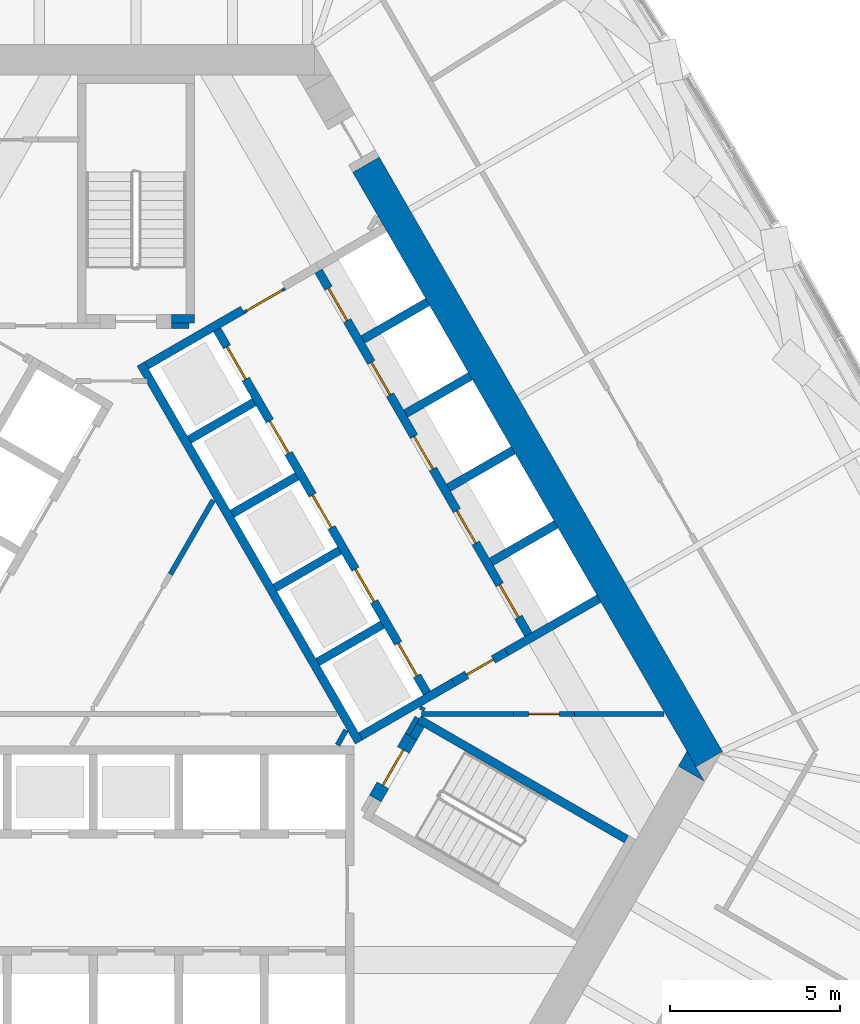
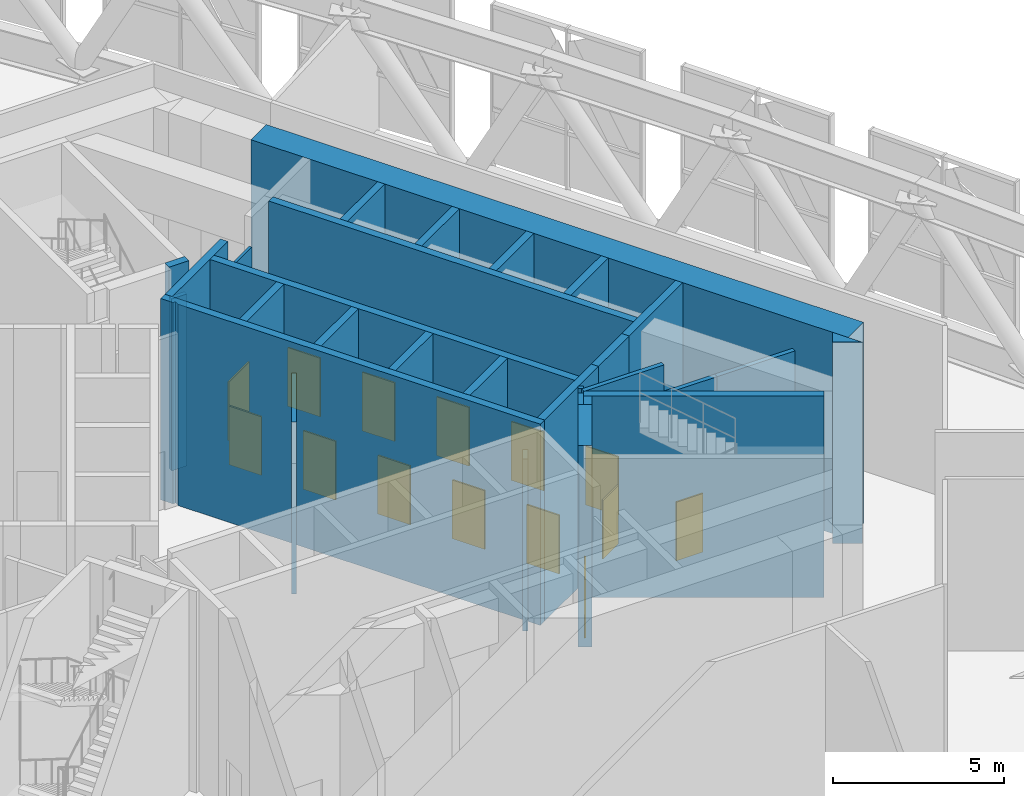
# One storey, part 24 of 33: 30 walls, 14 doors, 14 openings.
"""IFC4 building model written with IfcOpenShell, lengths in metres."""

from ifc_helpers import new_model, si_unit, direction, frame, frame_2d, origin, place, context, subcontext, project, spatial, polyline, rectangle, outline, extrude, material, layer, layer_set, type_object, element, fill, save


model = new_model("IFC4")

# Units and contexts
model_context = context("Model", 3, precision=1e-05, world=origin(), true_north=direction((0.0, 1.0)))
body_context = subcontext(model_context, "Body", "Model", "MODEL_VIEW")
ifc_project = project(units=[si_unit("LENGTHUNIT", "METRE"), si_unit("AREAUNIT", "SQUARE_METRE"), si_unit("VOLUMEUNIT", "CUBIC_METRE"), si_unit("PLANEANGLEUNIT", "RADIAN"), si_unit("MASSUNIT", "GRAM", prefix="KILO")], contexts=[model_context])

# Site, building, storey
site_placement = place(None, origin())
site = spatial("IfcSite", under=ifc_project, at=site_placement, CompositionType="ELEMENT")
building_placement = place(site_placement, origin())
building = spatial("IfcBuilding", under=site, at=building_placement, Name="Mestral Congress Tower", CompositionType="ELEMENT")
storey_placement = place(building_placement, frame((0.0, 0.0, 134.39990234375)))
storey = spatial("IfcBuildingStorey", under=building, at=storey_placement, Name="L32", CompositionType="ELEMENT", Elevation=134.39990234375)

# Walls
ifc_material_1 = material(Name="Fire-rated board partition")
ifc_layer_1 = layer(ifc_material_1, 0.14990234375)
ifc_layer_set_1 = layer_set([ifc_layer_1], Name="Fire-rated board partition")
wall_type_1 = type_object("IfcWallType", Name="Core partition 150", PredefinedType="PARTITIONING", material=ifc_layer_set_1)
wall_1_placement = place(storey_placement, frame((5.935791015625, -3.718017578125, 0.0), z_axis=(0.0, 0.0, 1.0), x_axis=(0.499890179513, 0.866088799389, 0.0)))
element("IfcWall", 1, at=wall_1_placement, inside=storey, type_object=wall_type_1, Name="L32 core wall", PredefinedType="PARTITIONING", context=body_context, shape_type="SweptSolid", body=[
    extrude(rectangle(XDim=0.50390625, YDim=0.14990234375, at=frame_2d((0.251953125, 0.0))), origin(), (0.0, 0.0, 1.0), 6.150146484375),
])
wall_2_placement = place(storey_placement, frame((12.914794921875, -2.800048828125, 0.0), z_axis=(0.0, 0.0, 1.0), x_axis=(1.0, 0.0, 0.0)))
element("IfcWall", 2, at=wall_2_placement, inside=storey, type_object=wall_type_1, Name="L32 core wall", PredefinedType="PARTITIONING", context=body_context, shape_type="SweptSolid", body=[
    extrude(rectangle(XDim=2.636962890625, YDim=0.14990234375, at=frame_2d((1.318359375, 0.0))), origin(), (0.0, 0.0, 1.0), 6.150146484375),
])
wall_3_placement = place(storey_placement, frame((1.01611328125, 1.30908203125, 0.0), z_axis=(0.0, 0.0, 1.0), x_axis=(0.49998231768, 0.866035612436, 0.0)))
element("IfcWall", 3, at=wall_3_placement, inside=storey, type_object=wall_type_1, Name="L32 core wall", PredefinedType="PARTITIONING", context=body_context, shape_type="SweptSolid", body=[
    extrude(rectangle(XDim=2.52099609375, YDim=0.14990234375, at=frame_2d((1.260498046875, 0.0))), origin(), (0.0, 0.0, 1.0), 6.150146484375),
])
wall_4_placement = place(storey_placement, frame((1.050048828125, 8.62548828125, 0.0), z_axis=(0.0, 0.0, 1.0), x_axis=(1.0, 0.0, 0.0)))
element("IfcWall", 4, at=wall_4_placement, inside=storey, type_object=wall_type_1, Name="L32 core wall", PredefinedType="PARTITIONING", context=body_context, shape_type="SweptSolid", body=[
    extrude(rectangle(XDim=0.513916015625, YDim=0.14990234375, at=frame_2d((0.2568359375, 0.0))), origin(), (0.0, 0.0, 1.0), 6.150146484375),
])

# Wall, opening, door
wall_5_placement = place(storey_placement, frame((11.114501953125, -2.800048828125, 0.0), z_axis=(0.0, 0.0, 1.0), x_axis=(1.0, 0.0, 0.0)))
wall_5 = element("IfcWall", 5, at=wall_5_placement, inside=storey, type_object=wall_type_1, Name="L32 door wall", PredefinedType="PARTITIONING", context=body_context, shape_type="SweptSolid", body=[
    extrude(rectangle(XDim=1.800048828125, YDim=0.14990234375, at=frame_2d((0.89990234375, 0.0))), origin(), (0.0, 0.0, 1.0), 6.150146484375),
])
opening_1_placement = place(wall_5_placement, frame((0.449951171875, 0.0, 0.0)))
opening_1 = element("IfcOpeningElement", 6, at=opening_1_placement, cuts=wall_5, Name="Opening TD1", PredefinedType="OPENING", context=body_context, shape_type="SweptSolid", body=[
    extrude(rectangle(XDim=0.89990234375, YDim=2.10009765625, at=frame_2d((0.449951171875, 1.050048828125))), frame((0.0, 0.0849609375, 0.0), z_axis=(0.0, -1.0, 0.0), x_axis=(1.0, 0.0, 0.0)), (0.0, 0.0, 1.0), 0.169921875),
])
ifc_material_2 = material(Name="Fire-rated steel door set", Category="steel")
door_type_1 = type_object("IfcDoorType", Name="Core door SR 900x2100", OperationType="SINGLE_SWING_LEFT", PredefinedType="DOOR", material=ifc_material_2)
door_1_placement = place(opening_1_placement, origin())
door_1 = element("IfcDoor", 7, at=door_1_placement, inside=storey, type_object=door_type_1, Name="Door TD1", OperationType="SINGLE_SWING_LEFT", OverallHeight=2.10009765625, OverallWidth=0.89990234375, PredefinedType="DOOR", context=body_context, shape_type="SweptSolid", body=[
    extrude(rectangle(XDim=0.89990234375, YDim=2.10009765625, at=frame_2d((0.449951171875, 1.050048828125))), frame((0.0, 0.02490234375, 0.0), z_axis=(0.0, -1.0, 0.0), x_axis=(1.0, 0.0, 0.0)), (0.0, 0.0, 1.0), 0.050048828125),
])
fill(opening_1, door_1)

ifc_layer_2 = layer(ifc_material_1, 0.090087890625)
ifc_layer_set_2 = layer_set([ifc_layer_2], Name="Fire-rated board partition")
wall_type_2 = type_object("IfcWallType", Name="Core partition 150 door-wall 90", PredefinedType="PARTITIONING", material=ifc_layer_set_2)
wall_6_placement = place(storey_placement, frame((3.182861328125, 9.02001953125, 0.0), z_axis=(0.0, 0.0, 1.0), x_axis=(0.866034573852, 0.49998411664, 0.0)))
wall_6 = element("IfcWall", 8, at=wall_6_placement, inside=storey, type_object=wall_type_2, Name="L32 door wall", PredefinedType="PARTITIONING", context=body_context, shape_type="SweptSolid", body=[
    extrude(rectangle(XDim=1.39990234375, YDim=0.090087890625, at=frame_2d((0.699951171875, 0.0))), origin(), (0.0, 0.0, 1.0), 6.150146484375),
])
opening_2_placement = place(wall_6_placement, frame((0.10009765625, 0.0, 0.0)))
opening_2 = element("IfcOpeningElement", 9, at=opening_2_placement, cuts=wall_6, Name="Opening LB1-WL2", PredefinedType="OPENING", context=body_context, shape_type="SweptSolid", body=[
    extrude(rectangle(XDim=1.199951171875, YDim=2.10009765625, at=frame_2d((0.60009765625, 1.050048828125))), frame((0.0, 0.054931640625, 0.0), z_axis=(0.0, -1.0, 0.0), x_axis=(1.0, 0.0, 0.0)), (0.0, 0.0, 1.0), 0.110107421875),
])
door_type_2 = type_object("IfcDoorType", Name="Core door LB 1200x2100", OperationType="SINGLE_SWING_LEFT", PredefinedType="DOOR", material=ifc_material_2)
door_2_placement = place(opening_2_placement, origin())
door_2 = element("IfcDoor", 10, at=door_2_placement, inside=storey, type_object=door_type_2, Name="Door LB1-WL2", OperationType="SINGLE_SWING_LEFT", OverallHeight=2.10009765625, OverallWidth=1.199951171875, PredefinedType="DOOR", context=body_context, shape_type="SweptSolid", body=[
    extrude(rectangle(XDim=1.199951171875, YDim=2.10009765625, at=frame_2d((0.60009765625, 1.050048828125))), frame((0.0, 0.02490234375, 0.0), z_axis=(0.0, -1.0, 0.0), x_axis=(1.0, 0.0, 0.0)), (0.0, 0.0, 1.0), 0.050048828125),
])
fill(opening_2, door_2)

# Walls
ifc_material_3 = material(Name="Concrete C60/75", Category="concrete")
ifc_layer_3 = layer(ifc_material_3, 0.89990234375)
ifc_layer_set_3 = layer_set([ifc_layer_3], Name="Concrete C60/75")
wall_type_3 = type_object("IfcWallType", Name="Core wall RC 900", PredefinedType="SOLIDWALL", material=ifc_layer_set_3)
wall_7_placement = place(storey_placement, frame((6.77587890625, 13.36376953125, 0.0), z_axis=(0.0, 0.0, 1.0), x_axis=(0.500004177138, -0.8660229921, 0.0)))
element("IfcWall", 11, at=wall_7_placement, inside=storey, type_object=wall_type_3, Name="L32 core wall", PredefinedType="SOLIDWALL", context=body_context, shape_type="SweptSolid", body=[
    extrude(rectangle(XDim=20.203857421875, YDim=0.89990234375, at=frame_2d((10.10205078125, 0.0))), origin(), (0.0, 0.0, 1.0), 7.2001953125),
])
placement = place(storey_placement, origin())
element("IfcWall", 12, at=placement, inside=storey, type_object=wall_type_3, Name="L32 core wall", PredefinedType="SOLIDWALL", context=body_context, shape_type="SweptSolid", body=[
    extrude(outline(polyline([(16.223388671875, -3.900146484375), (16.731689453125, -4.780029296875), (15.969482421875, -4.340087890625), (16.223388671875, -3.900146484375)])), origin(), (0.0, 0.0, 1.0), 7.2001953125),
])
ifc_layer_4 = layer(ifc_material_3, 0.25)
ifc_layer_set_4 = layer_set([ifc_layer_4], Name="Concrete C60/75")
wall_type_4 = type_object("IfcWallType", Name="Shaft wall RC 250", PredefinedType="SOLIDWALL", material=ifc_layer_set_4)
element("IfcWall", 13, at=placement, inside=storey, type_object=wall_type_4, Name="L32 core wall", PredefinedType="SOLIDWALL", context=body_context, shape_type="SweptSolid", body=[
    extrude(outline(polyline([(0.334716796875, 6.925048828125), (0.334716796875, 6.925048828125), (0.334716796875, 7.074951171875), (0.334716796875, 7.074951171875), (0.334716796875, 7.0751953125), (0.245361328125, 7.0751953125), (0.03515625, 7.439208984375), (0.251708984375, 7.564208984375), (0.376708984375, 7.34765625), (1.51171875, 5.3818359375), (1.63671875, 5.165283203125), (2.220947265625, 4.153076171875), (2.771484375, 3.199462890625), (2.896484375, 2.98291015625), (3.13818359375, 2.564208984375), (4.031494140625, 1.01708984375), (4.156494140625, 0.800537109375), (5.29150390625, -1.165283203125), (5.41650390625, -1.3818359375), (6.072998046875, -2.518798828125), (6.551513671875, -3.34765625), (6.676513671875, -3.564208984375), (6.460205078125, -3.689208984375), (0.33203125, 6.9248046875), (0.334716796875, 6.9248046875), (0.334716796875, 6.925048828125)])), origin(), (0.0, 0.0, 1.0), 7.2001953125),
])
wall_10_placement = place(storey_placement, frame((0.314208984375, 7.455810546875, 0.0), z_axis=(0.0, 0.0, 1.0), x_axis=(0.866013897511, 0.50001992892, 0.0)))
element("IfcWall", 14, at=wall_10_placement, inside=storey, type_object=wall_type_4, Name="L32 core wall", PredefinedType="SOLIDWALL", context=body_context, shape_type="SweptSolid", body=[
    extrude(rectangle(XDim=3.267822265625, YDim=0.25, at=frame_2d((1.6337890625, 0.0))), origin(), (0.0, 0.0, 1.0), 7.2001953125),
])
wall_11_placement = place(storey_placement, frame((1.57421875, 5.273681640625, 0.0), z_axis=(0.0, 0.0, 1.0), x_axis=(0.866028486751, 0.499994660107, 0.0)))
element("IfcWall", 15, at=wall_11_placement, inside=storey, type_object=wall_type_4, Name="L32 core wall", PredefinedType="SOLIDWALL", context=body_context, shape_type="SweptSolid", body=[
    extrude(rectangle(XDim=2.19970703125, YDim=0.25, at=frame_2d((1.099853515625, 0.0))), origin(), (0.0, 0.0, 1.0), 7.2001953125),
])
for number, where, z_axis, x_axis, name in (
    (16, (2.833984375, 3.091064453125, 0.0), (0.0, 0.0, 1.0), (0.866008176907, 0.50002983664, 0.0), "L32 core wall"),
    (17, (4.093994140625, 0.90869140625, 0.0), (0.0, 0.0, 1.0), (0.866008176907, 0.50002983664, 0.0), "L32 core wall"),
    (18, (5.35400390625, -1.273681640625, 0.0), (0.0, 0.0, 1.0), (0.866008176907, 0.50002983664, 0.0), "L32 core wall"),
):
    element("IfcWall", number, at=place(storey_placement, frame(where, z_axis=z_axis, x_axis=x_axis)), inside=storey, type_object=wall_type_4, Name=name, PredefinedType="SOLIDWALL", context=body_context, shape_type="SweptSolid", body=[
        extrude(rectangle(XDim=2.199951171875, YDim=0.25, at=frame_2d((1.10009765625, 0.0))), origin(), (0.0, 0.0, 1.0), 7.2001953125),
    ])
wall_12_placement = place(storey_placement, frame((9.35205078125, -1.875244140625, 0.0), z_axis=(0.0, 0.0, 1.0), x_axis=(-0.866024844342, -0.500000968981, 0.0)))
element("IfcWall", 19, at=wall_12_placement, inside=storey, type_object=wall_type_4, Name="L32 core wall", PredefinedType="SOLIDWALL", context=body_context, shape_type="SweptSolid", body=[
    extrude(rectangle(XDim=3.16162109375, YDim=0.25, at=frame_2d((1.580810546875, 0.0))), origin(), (0.0, 0.0, 1.0), 7.2001953125),
])
for number, where, z_axis, x_axis, name in (
    (20, (6.68359375, 8.2236328125, 0.0), (0.0, 0.0, 1.0), (0.86605622881, 0.499946605688, 0.0), "L32 core wall"),
    (21, (7.943603515625, 6.041259765625, 0.0), (0.0, 0.0, 1.0), (0.86605622881, 0.499946605688, 0.0), "L32 core wall"),
    (22, (9.20361328125, 3.85888671875, 0.0), (0.0, 0.0, 1.0), (0.86605622881, 0.499946605688, 0.0), "L32 core wall"),
):
    element("IfcWall", number, at=place(storey_placement, frame(where, z_axis=z_axis, x_axis=x_axis)), inside=storey, type_object=wall_type_4, Name=name, PredefinedType="SOLIDWALL", context=body_context, shape_type="SweptSolid", body=[
        extrude(rectangle(XDim=2.199951171875, YDim=0.25, at=frame_2d((1.10009765625, 0.0))), origin(), (0.0, 0.0, 1.0), 7.2001953125),
    ])
wall_13_placement = place(storey_placement, frame((10.910888671875, -0.97509765625, 0.0), z_axis=(0.0, 0.0, 1.0), x_axis=(0.866046979468, 0.499962627957, 0.0)))
element("IfcWall", 23, at=wall_13_placement, inside=storey, type_object=wall_type_4, Name="L32 core wall", PredefinedType="SOLIDWALL", context=body_context, shape_type="SweptSolid", body=[
    extrude(rectangle(XDim=3.138427734375, YDim=0.25, at=frame_2d((1.5693359375, 0.0))), origin(), (0.0, 0.0, 1.0), 7.2001953125),
])
wall_14_placement = place(storey_placement, frame((10.463623046875, 1.676513671875, 0.0), z_axis=(0.0, 0.0, 1.0), x_axis=(0.86605622881, 0.499946605688, 0.0)))
element("IfcWall", 24, at=wall_14_placement, inside=storey, type_object=wall_type_4, Name="L32 core wall", PredefinedType="SOLIDWALL", context=body_context, shape_type="SweptSolid", body=[
    extrude(rectangle(XDim=2.199951171875, YDim=0.25, at=frame_2d((1.10009765625, 0.0))), origin(), (0.0, 0.0, 1.0), 7.2001953125),
])

# Wall, openings, doors
wall_15_placement = place(storey_placement, frame((11.552978515625, -0.460205078125, 0.0), z_axis=(0.0, 0.0, 1.0), x_axis=(-0.500006514828, 0.866021642414, 0.0)))
wall_15 = element("IfcWall", 25, at=wall_15_placement, inside=storey, type_object=wall_type_4, Name="L32 door wall", PredefinedType="SOLIDWALL", context=body_context, shape_type="SweptSolid", body=[
    extrude(rectangle(XDim=12.349853515625, YDim=0.25, at=frame_2d((6.1748046875, 0.0))), origin(), (0.0, 0.0, 1.0), 7.2001953125),
])
opening_3_placement = place(wall_15_placement, frame((0.5849609375, 0.0, 0.0)))
opening_3 = element("IfcOpeningElement", 26, at=opening_3_placement, cuts=wall_15, Name="Opening LD-NEA1", PredefinedType="OPENING", context=body_context, shape_type="SweptSolid", body=[
    extrude(rectangle(XDim=1.10009765625, YDim=2.10009765625, at=frame_2d((0.550048828125, 1.050048828125))), frame((0.0, 0.135009765625, 0.0), z_axis=(0.0, -1.0, 0.0), x_axis=(1.0, 0.0, 0.0)), (0.0, 0.0, 1.0), 0.27001953125),
])
opening_4_placement = place(wall_15_placement, frame((3.10498046875, 0.0, 0.0)))
opening_4 = element("IfcOpeningElement", 27, at=opening_4_placement, cuts=wall_15, Name="Opening LD-NEA2", PredefinedType="OPENING", context=body_context, shape_type="SweptSolid", body=[
    extrude(rectangle(XDim=1.10009765625, YDim=2.10009765625, at=frame_2d((0.550048828125, 1.050048828125))), frame((0.0, 0.135009765625, 0.0), z_axis=(0.0, -1.0, 0.0), x_axis=(1.0, 0.0, 0.0)), (0.0, 0.0, 1.0), 0.27001953125),
])
opening_5_placement = place(wall_15_placement, frame((5.625, 0.0, 0.0)))
opening_5 = element("IfcOpeningElement", 28, at=opening_5_placement, cuts=wall_15, Name="Opening LD-NEA3", PredefinedType="OPENING", context=body_context, shape_type="SweptSolid", body=[
    extrude(rectangle(XDim=1.10009765625, YDim=2.10009765625, at=frame_2d((0.550048828125, 1.050048828125))), frame((0.0, 0.135009765625, 0.0), z_axis=(0.0, -1.0, 0.0), x_axis=(1.0, 0.0, 0.0)), (0.0, 0.0, 1.0), 0.27001953125),
])
opening_6_placement = place(wall_15_placement, frame((8.14501953125, 0.0, 0.0)))
opening_6 = element("IfcOpeningElement", 29, at=opening_6_placement, cuts=wall_15, Name="Opening LD-NEA4", PredefinedType="OPENING", context=body_context, shape_type="SweptSolid", body=[
    extrude(rectangle(XDim=1.10009765625, YDim=2.10009765625, at=frame_2d((0.550048828125, 1.050048828125))), frame((0.0, 0.135009765625, 0.0), z_axis=(0.0, -1.0, 0.0), x_axis=(1.0, 0.0, 0.0)), (0.0, 0.0, 1.0), 0.27001953125),
])
opening_7_placement = place(wall_15_placement, frame((10.6650390625, 0.0, 0.0)))
opening_7 = element("IfcOpeningElement", 30, at=opening_7_placement, cuts=wall_15, Name="Opening LD-NEA5", PredefinedType="OPENING", context=body_context, shape_type="SweptSolid", body=[
    extrude(rectangle(XDim=1.10009765625, YDim=2.10009765625, at=frame_2d((0.550048828125, 1.050048828125))), frame((0.0, 0.135009765625, 0.0), z_axis=(0.0, -1.0, 0.0), x_axis=(1.0, 0.0, 0.0)), (0.0, 0.0, 1.0), 0.27001953125),
])
door_type_3 = type_object("IfcDoorType", Name="Core door LD 1100x2100", OperationType="DOUBLE_DOOR_SLIDING", PredefinedType="DOOR", material=ifc_material_2)
door_3_placement = place(opening_3_placement, origin())
door_3 = element("IfcDoor", 31, at=door_3_placement, inside=storey, type_object=door_type_3, Name="Door LD-NEA1", OperationType="DOUBLE_DOOR_SLIDING", OverallHeight=2.10009765625, OverallWidth=1.10009765625, PredefinedType="DOOR", context=body_context, shape_type="SweptSolid", body=[
    extrude(rectangle(XDim=1.10009765625, YDim=2.10009765625, at=frame_2d((0.550048828125, 1.050048828125))), frame((0.0, 0.02490234375, 0.0), z_axis=(0.0, -1.0, 0.0), x_axis=(1.0, 0.0, 0.0)), (0.0, 0.0, 1.0), 0.050048828125),
])
fill(opening_3, door_3)
door_4_placement = place(opening_4_placement, origin())
door_4 = element("IfcDoor", 32, at=door_4_placement, inside=storey, type_object=door_type_3, Name="Door LD-NEA2", OperationType="DOUBLE_DOOR_SLIDING", OverallHeight=2.10009765625, OverallWidth=1.10009765625, PredefinedType="DOOR", context=body_context, shape_type="SweptSolid", body=[
    extrude(rectangle(XDim=1.10009765625, YDim=2.10009765625, at=frame_2d((0.550048828125, 1.050048828125))), frame((0.0, 0.02490234375, 0.0), z_axis=(0.0, -1.0, 0.0), x_axis=(1.0, 0.0, 0.0)), (0.0, 0.0, 1.0), 0.050048828125),
])
fill(opening_4, door_4)
door_5_placement = place(opening_5_placement, origin())
door_5 = element("IfcDoor", 33, at=door_5_placement, inside=storey, type_object=door_type_3, Name="Door LD-NEA3", OperationType="DOUBLE_DOOR_SLIDING", OverallHeight=2.10009765625, OverallWidth=1.10009765625, PredefinedType="DOOR", context=body_context, shape_type="SweptSolid", body=[
    extrude(rectangle(XDim=1.10009765625, YDim=2.10009765625, at=frame_2d((0.550048828125, 1.050048828125))), frame((0.0, 0.02490234375, 0.0), z_axis=(0.0, -1.0, 0.0), x_axis=(1.0, 0.0, 0.0)), (0.0, 0.0, 1.0), 0.050048828125),
])
fill(opening_5, door_5)
door_6_placement = place(opening_6_placement, origin())
door_6 = element("IfcDoor", 34, at=door_6_placement, inside=storey, type_object=door_type_3, Name="Door LD-NEA4", OperationType="DOUBLE_DOOR_SLIDING", OverallHeight=2.10009765625, OverallWidth=1.10009765625, PredefinedType="DOOR", context=body_context, shape_type="SweptSolid", body=[
    extrude(rectangle(XDim=1.10009765625, YDim=2.10009765625, at=frame_2d((0.550048828125, 1.050048828125))), frame((0.0, 0.02490234375, 0.0), z_axis=(0.0, -1.0, 0.0), x_axis=(1.0, 0.0, 0.0)), (0.0, 0.0, 1.0), 0.050048828125),
])
fill(opening_6, door_6)
door_7_placement = place(opening_7_placement, origin())
door_7 = element("IfcDoor", 35, at=door_7_placement, inside=storey, type_object=door_type_3, Name="Door LD-NEA5", OperationType="DOUBLE_DOOR_SLIDING", OverallHeight=2.10009765625, OverallWidth=1.10009765625, PredefinedType="DOOR", context=body_context, shape_type="SweptSolid", body=[
    extrude(rectangle(XDim=1.10009765625, YDim=2.10009765625, at=frame_2d((0.550048828125, 1.050048828125))), frame((0.0, 0.02490234375, 0.0), z_axis=(0.0, -1.0, 0.0), x_axis=(1.0, 0.0, 0.0)), (0.0, 0.0, 1.0), 0.050048828125),
])
fill(opening_7, door_7)

wall_16_placement = place(storey_placement, frame((8.565185546875, -2.185302734375, 0.0), z_axis=(0.0, 0.0, 1.0), x_axis=(-0.499997954832, 0.866026584559, 0.0)))
wall_16 = element("IfcWall", 36, at=wall_16_placement, inside=storey, type_object=wall_type_4, Name="L32 door wall", PredefinedType="SOLIDWALL", context=body_context, shape_type="SweptSolid", body=[
    extrude(rectangle(XDim=12.35009765625, YDim=0.25, at=frame_2d((6.175048828125, 0.0))), origin(), (0.0, 0.0, 1.0), 7.2001953125),
])
opening_8_placement = place(wall_16_placement, frame((0.5849609375, 0.0, 0.0)))
opening_8 = element("IfcOpeningElement", 37, at=opening_8_placement, cuts=wall_16, Name="Opening LD-NEB1", PredefinedType="OPENING", context=body_context, shape_type="SweptSolid", body=[
    extrude(rectangle(XDim=1.10009765625, YDim=2.10009765625, at=frame_2d((0.550048828125, 1.050048828125))), frame((0.0, 0.135009765625, 0.0), z_axis=(0.0, -1.0, 0.0), x_axis=(1.0, 0.0, 0.0)), (0.0, 0.0, 1.0), 0.27001953125),
])
opening_9_placement = place(wall_16_placement, frame((3.10498046875, 0.0, 0.0)))
opening_9 = element("IfcOpeningElement", 38, at=opening_9_placement, cuts=wall_16, Name="Opening LD-NEB2", PredefinedType="OPENING", context=body_context, shape_type="SweptSolid", body=[
    extrude(rectangle(XDim=1.10009765625, YDim=2.10009765625, at=frame_2d((0.550048828125, 1.050048828125))), frame((0.0, 0.135009765625, 0.0), z_axis=(0.0, -1.0, 0.0), x_axis=(1.0, 0.0, 0.0)), (0.0, 0.0, 1.0), 0.27001953125),
])
opening_10_placement = place(wall_16_placement, frame((5.625, 0.0, 0.0)))
opening_10 = element("IfcOpeningElement", 39, at=opening_10_placement, cuts=wall_16, Name="Opening LD-NEB3", PredefinedType="OPENING", context=body_context, shape_type="SweptSolid", body=[
    extrude(rectangle(XDim=1.10009765625, YDim=2.10009765625, at=frame_2d((0.550048828125, 1.050048828125))), frame((0.0, 0.135009765625, 0.0), z_axis=(0.0, -1.0, 0.0), x_axis=(1.0, 0.0, 0.0)), (0.0, 0.0, 1.0), 0.27001953125),
])
opening_11_placement = place(wall_16_placement, frame((8.14501953125, 0.0, 0.0)))
opening_11 = element("IfcOpeningElement", 40, at=opening_11_placement, cuts=wall_16, Name="Opening LD-NEB4", PredefinedType="OPENING", context=body_context, shape_type="SweptSolid", body=[
    extrude(rectangle(XDim=1.10009765625, YDim=2.10009765625, at=frame_2d((0.550048828125, 1.050048828125))), frame((0.0, 0.135009765625, 0.0), z_axis=(0.0, -1.0, 0.0), x_axis=(1.0, 0.0, 0.0)), (0.0, 0.0, 1.0), 0.27001953125),
])
opening_12_placement = place(wall_16_placement, frame((10.6650390625, 0.0, 0.0)))
opening_12 = element("IfcOpeningElement", 41, at=opening_12_placement, cuts=wall_16, Name="Opening LD-NEB5", PredefinedType="OPENING", context=body_context, shape_type="SweptSolid", body=[
    extrude(rectangle(XDim=1.10009765625, YDim=2.10009765625, at=frame_2d((0.550048828125, 1.050048828125))), frame((0.0, 0.135009765625, 0.0), z_axis=(0.0, -1.0, 0.0), x_axis=(1.0, 0.0, 0.0)), (0.0, 0.0, 1.0), 0.27001953125),
])
door_8_placement = place(opening_8_placement, origin())
door_8 = element("IfcDoor", 42, at=door_8_placement, inside=storey, type_object=door_type_3, Name="Door LD-NEB1", OperationType="DOUBLE_DOOR_SLIDING", OverallHeight=2.10009765625, OverallWidth=1.10009765625, PredefinedType="DOOR", context=body_context, shape_type="SweptSolid", body=[
    extrude(rectangle(XDim=1.10009765625, YDim=2.10009765625, at=frame_2d((0.550048828125, 1.050048828125))), frame((0.0, 0.02490234375, 0.0), z_axis=(0.0, -1.0, 0.0), x_axis=(1.0, 0.0, 0.0)), (0.0, 0.0, 1.0), 0.050048828125),
])
fill(opening_8, door_8)
door_9_placement = place(opening_9_placement, origin())
door_9 = element("IfcDoor", 43, at=door_9_placement, inside=storey, type_object=door_type_3, Name="Door LD-NEB2", OperationType="DOUBLE_DOOR_SLIDING", OverallHeight=2.10009765625, OverallWidth=1.10009765625, PredefinedType="DOOR", context=body_context, shape_type="SweptSolid", body=[
    extrude(rectangle(XDim=1.10009765625, YDim=2.10009765625, at=frame_2d((0.550048828125, 1.050048828125))), frame((0.0, 0.02490234375, 0.0), z_axis=(0.0, -1.0, 0.0), x_axis=(1.0, 0.0, 0.0)), (0.0, 0.0, 1.0), 0.050048828125),
])
fill(opening_9, door_9)
door_10_placement = place(opening_10_placement, origin())
door_10 = element("IfcDoor", 44, at=door_10_placement, inside=storey, type_object=door_type_3, Name="Door LD-NEB3", OperationType="DOUBLE_DOOR_SLIDING", OverallHeight=2.10009765625, OverallWidth=1.10009765625, PredefinedType="DOOR", context=body_context, shape_type="SweptSolid", body=[
    extrude(rectangle(XDim=1.10009765625, YDim=2.10009765625, at=frame_2d((0.550048828125, 1.050048828125))), frame((0.0, 0.02490234375, 0.0), z_axis=(0.0, -1.0, 0.0), x_axis=(1.0, 0.0, 0.0)), (0.0, 0.0, 1.0), 0.050048828125),
])
fill(opening_10, door_10)
door_11_placement = place(opening_11_placement, origin())
door_11 = element("IfcDoor", 45, at=door_11_placement, inside=storey, type_object=door_type_3, Name="Door LD-NEB4", OperationType="DOUBLE_DOOR_SLIDING", OverallHeight=2.10009765625, OverallWidth=1.10009765625, PredefinedType="DOOR", context=body_context, shape_type="SweptSolid", body=[
    extrude(rectangle(XDim=1.10009765625, YDim=2.10009765625, at=frame_2d((0.550048828125, 1.050048828125))), frame((0.0, 0.02490234375, 0.0), z_axis=(0.0, -1.0, 0.0), x_axis=(1.0, 0.0, 0.0)), (0.0, 0.0, 1.0), 0.050048828125),
])
fill(opening_11, door_11)
door_12_placement = place(opening_12_placement, origin())
door_12 = element("IfcDoor", 46, at=door_12_placement, inside=storey, type_object=door_type_3, Name="Door LD-NEB5", OperationType="DOUBLE_DOOR_SLIDING", OverallHeight=2.10009765625, OverallWidth=1.10009765625, PredefinedType="DOOR", context=body_context, shape_type="SweptSolid", body=[
    extrude(rectangle(XDim=1.10009765625, YDim=2.10009765625, at=frame_2d((0.550048828125, 1.050048828125))), frame((0.0, 0.02490234375, 0.0), z_axis=(0.0, -1.0, 0.0), x_axis=(1.0, 0.0, 0.0)), (0.0, 0.0, 1.0), 0.050048828125),
])
fill(opening_12, door_12)

# Wall, opening, door
wall_17_placement = place(storey_placement, frame((9.35205078125, -1.875244140625, 0.0), z_axis=(0.0, 0.0, 1.0), x_axis=(0.865989075817, 0.500062916607, 0.0)))
wall_17 = element("IfcWall", 47, at=wall_17_placement, inside=storey, type_object=wall_type_4, Name="L32 door wall", PredefinedType="SOLIDWALL", context=body_context, shape_type="SweptSolid", body=[
    extrude(rectangle(XDim=1.800048828125, YDim=0.25, at=frame_2d((0.89990234375, 0.0))), origin(), (0.0, 0.0, 1.0), 7.2001953125),
])
opening_13_placement = place(wall_17_placement, frame((0.449951171875, 0.0, 0.0)))
opening_13 = element("IfcOpeningElement", 48, at=opening_13_placement, cuts=wall_17, Name="Opening SD-HUB2", PredefinedType="OPENING", context=body_context, shape_type="SweptSolid", body=[
    extrude(rectangle(XDim=0.89990234375, YDim=2.10009765625, at=frame_2d((0.449951171875, 1.050048828125))), frame((0.0, 0.135009765625, 0.0), z_axis=(0.0, -1.0, 0.0), x_axis=(1.0, 0.0, 0.0)), (0.0, 0.0, 1.0), 0.27001953125),
])
door_13_placement = place(opening_13_placement, origin())
door_13 = element("IfcDoor", 49, at=door_13_placement, inside=storey, type_object=door_type_1, Name="Door SD-HUB2", OperationType="SINGLE_SWING_LEFT", OverallHeight=2.10009765625, OverallWidth=0.89990234375, PredefinedType="DOOR", context=body_context, shape_type="SweptSolid", body=[
    extrude(rectangle(XDim=0.89990234375, YDim=2.10009765625, at=frame_2d((0.449951171875, 1.050048828125))), frame((0.0, 0.02490234375, 0.0), z_axis=(0.0, -1.0, 0.0), x_axis=(1.0, 0.0, 0.0)), (0.0, 0.0, 1.0), 0.050048828125),
])
fill(opening_13, door_13)

# Walls
ifc_layer_5 = layer(ifc_material_3, 0.14990234375)
ifc_layer_set_5 = layer_set([ifc_layer_5], Name="Concrete C60/75")
wall_type_5 = type_object("IfcWallType", Name="Shaft wall RC 250 door-wall 150", PredefinedType="SOLIDWALL", material=ifc_layer_set_5)
wall_18_placement = place(storey_placement, frame((8.412109375, -2.800048828125, 0.0), z_axis=(0.0, 0.0, 1.0), x_axis=(1.0, 0.0, 0.0)))
element("IfcWall", 50, at=wall_18_placement, inside=storey, type_object=wall_type_5, Name="L32 core wall", PredefinedType="PARTITIONING", context=body_context, shape_type="SweptSolid", body=[
    extrude(rectangle(XDim=2.702392578125, YDim=0.14990234375, at=frame_2d((1.35107421875, 0.0))), origin(), (0.0, 0.0, 1.0), 7.2001953125),
])
wall_19_placement = place(storey_placement, frame((8.458984375, -2.598876953125, 0.0), z_axis=(0.0, 0.0, 1.0), x_axis=(-0.501919277433, -0.864914469148, 0.0)))
element("IfcWall", 51, at=wall_19_placement, inside=storey, type_object=wall_type_5, Name="L32 core wall", PredefinedType="PARTITIONING", context=body_context, shape_type="SweptSolid", body=[
    extrude(rectangle(XDim=0.10888671875, YDim=0.14990234375, at=frame_2d((0.054443359375, 0.0))), origin(), (0.0, 0.0, 1.0), 7.2001953125),
])
wall_20_placement = place(storey_placement, frame((8.281494140625, -2.906982421875, 0.0), z_axis=(0.0, 0.0, 1.0), x_axis=(-0.500193841991, -0.86591346013, 0.0)))
element("IfcWall", 52, at=wall_20_placement, inside=storey, type_object=wall_type_5, Name="L32 core wall", PredefinedType="PARTITIONING", context=body_context, shape_type="SweptSolid", body=[
    extrude(rectangle(XDim=0.582763671875, YDim=0.14990234375, at=frame_2d((0.29150390625, 0.0))), origin(), (0.0, 0.0, 1.0), 7.2001953125),
])
ifc_layer_6 = layer(ifc_material_3, 0.25)
ifc_layer_set_6 = layer_set([ifc_layer_6], Name="Concrete C60/75")
wall_type_6 = type_object("IfcWallType", Name="Stair wall RC 250", PredefinedType="SOLIDWALL", material=ifc_layer_set_6)
wall_21_placement = place(storey_placement, frame((8.33447265625, -2.96435546875, 0.0), z_axis=(0.0, 0.0, 1.0), x_axis=(0.866016039709, -0.500016218704, 0.0)))
element("IfcWall", 53, at=wall_21_placement, inside=storey, type_object=wall_type_6, Name="L32 core wall", PredefinedType="SOLIDWALL", context=body_context, shape_type="SweptSolid", body=[
    extrude(rectangle(XDim=7.050048828125, YDim=0.25, at=frame_2d((3.52490234375, 0.0))), origin(), (0.0, 0.0, 1.0), 7.2001953125),
])
wall_22_placement = place(storey_placement, frame((8.162841796875, -3.51123046875, 0.0), z_axis=(0.0, 0.0, 1.0), x_axis=(0.500127794843, 0.865951608824, 0.0)))
element("IfcWall", 54, at=wall_22_placement, inside=storey, type_object=wall_type_6, Name="L32 core wall", PredefinedType="SOLIDWALL", context=body_context, shape_type="SweptSolid", body=[
    extrude(rectangle(XDim=0.4345703125, YDim=0.25, at=frame_2d((0.21728515625, 0.0))), origin(), (0.0, 0.0, 1.0), 7.2001953125),
])
wall_23_placement = place(storey_placement, frame((1.050048828125, 8.824951171875, 0.0), z_axis=(0.0, 0.0, 1.0), x_axis=(1.0, 0.0, 0.0)))
element("IfcWall", 55, at=wall_23_placement, inside=storey, type_object=wall_type_6, Name="L32 core wall", PredefinedType="SOLIDWALL", context=body_context, shape_type="SweptSolid", body=[
    extrude(rectangle(XDim=0.675048828125, YDim=0.25, at=frame_2d((0.33740234375, 0.0))), origin(), (0.0, 0.0, 1.0), 7.2001953125),
])

# Wall, opening, door
ifc_layer_7 = layer(ifc_material_3, 0.39990234375)
ifc_layer_set_7 = layer_set([ifc_layer_7], Name="Concrete C60/75")
wall_type_7 = type_object("IfcWallType", Name="Stair wall RC 250 door-wall 400", PredefinedType="SOLIDWALL", material=ifc_layer_set_7)
wall_24_placement = place(storey_placement, frame((7.048095703125, -5.29248046875, 0.0), z_axis=(0.0, 0.0, 1.0), x_axis=(0.49994051562, 0.866059744384, 0.0)))
wall_24 = element("IfcWall", 56, at=wall_24_placement, inside=storey, type_object=wall_type_7, Name="L32 door wall", PredefinedType="SOLIDWALL", context=body_context, shape_type="SweptSolid", body=[
    extrude(rectangle(XDim=2.099853515625, YDim=0.39990234375, at=frame_2d((1.0498046875, 0.0))), origin(), (0.0, 0.0, 1.0), 7.2001953125),
])
opening_14_placement = place(wall_24_placement, frame((0.449951171875, 0.0, 0.0)))
opening_14 = element("IfcOpeningElement", 57, at=opening_14_placement, cuts=wall_24, Name="Opening ST-D1", PredefinedType="OPENING", context=body_context, shape_type="SweptSolid", body=[
    extrude(rectangle(XDim=1.199951171875, YDim=2.10009765625, at=frame_2d((0.60009765625, 1.050048828125))), frame((0.0, 0.2099609375, 0.0), z_axis=(0.0, -1.0, 0.0), x_axis=(1.0, 0.0, 0.0)), (0.0, 0.0, 1.0), 0.419921875),
])
door_type_4 = type_object("IfcDoorType", Name="Core door ST 1200x2100", OperationType="SINGLE_SWING_LEFT", PredefinedType="DOOR", material=ifc_material_2)
door_14_placement = place(opening_14_placement, origin())
door_14 = element("IfcDoor", 58, at=door_14_placement, inside=storey, type_object=door_type_4, Name="Door ST-D1", OperationType="SINGLE_SWING_LEFT", OverallHeight=2.10009765625, OverallWidth=1.199951171875, PredefinedType="DOOR", context=body_context, shape_type="SweptSolid", body=[
    extrude(rectangle(XDim=1.199951171875, YDim=2.10009765625, at=frame_2d((0.60009765625, 1.050048828125))), frame((0.0, 0.02490234375, 0.0), z_axis=(0.0, -1.0, 0.0), x_axis=(1.0, 0.0, 0.0)), (0.0, 0.0, 1.0), 0.050048828125),
])
fill(opening_14, door_14)

save(model, "model.ifc")
